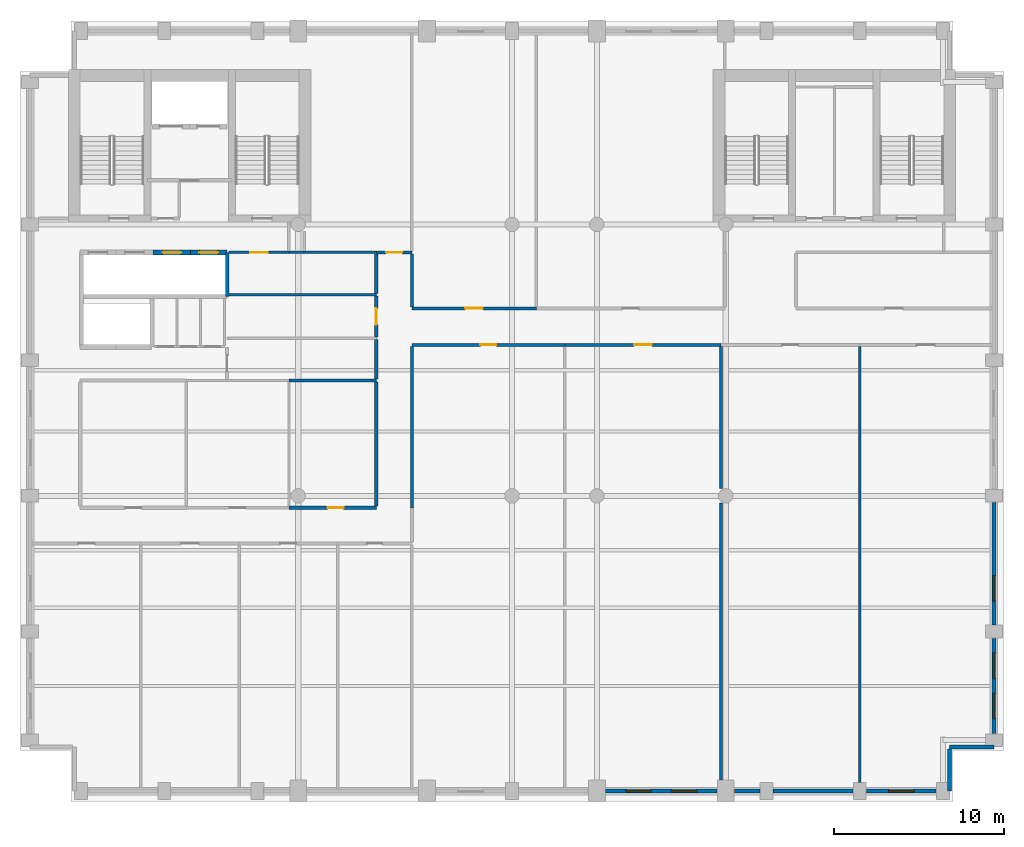
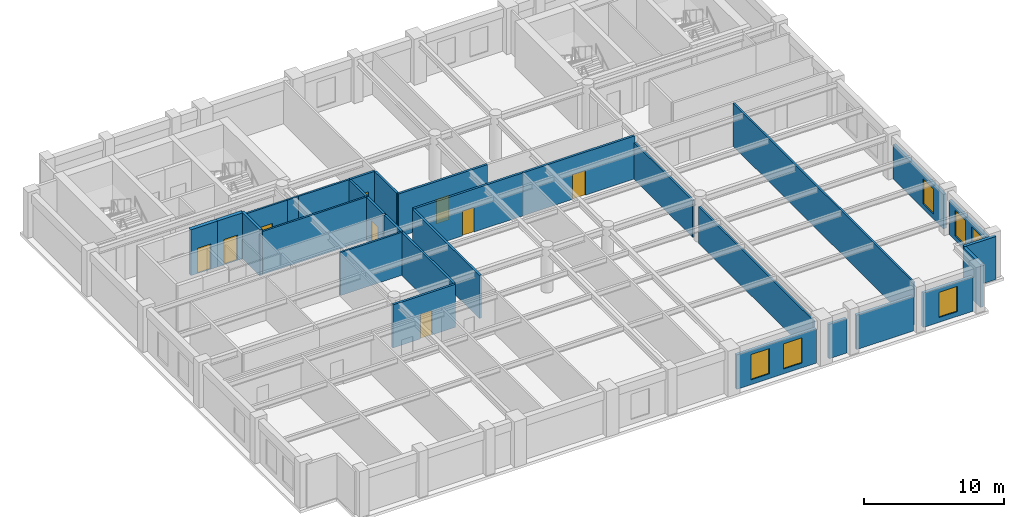
# One storey, part 4 of 8: 30 walls, 9 doors, 6 windows, 15 openings.
"""IFC4 building model written with IfcOpenShell, lengths in metres."""

from ifc_helpers import new_model, si_unit, direction, frame, frame_2d, origin, place, context, subcontext, project, spatial, rectangle, extrude, material, layer, layer_set, type_object, element, fill, save


model = new_model("IFC4")

# Units and contexts
model_context = context("Model", 3, precision=1e-05, world=origin(), true_north=direction((0.0, 1.0)))
body_context = subcontext(model_context, "Body", "Model", "MODEL_VIEW")
ifc_project = project(units=[si_unit("LENGTHUNIT", "METRE"), si_unit("AREAUNIT", "SQUARE_METRE"), si_unit("VOLUMEUNIT", "CUBIC_METRE"), si_unit("PLANEANGLEUNIT", "RADIAN"), si_unit("MASSUNIT", "GRAM", prefix="KILO")], contexts=[model_context])

# Site, building, storey
site_placement = place(None, origin())
site = spatial("IfcSite", under=ifc_project, at=site_placement, CompositionType="ELEMENT")
building_placement = place(site_placement, origin())
building = spatial("IfcBuilding", under=site, at=building_placement, Name="Sulina Concourse Tower", CompositionType="ELEMENT")
storey_placement = place(building_placement, frame((0.0, 0.0, 252.60009765625)))
storey = spatial("IfcBuildingStorey", under=building, at=storey_placement, Name="L61", CompositionType="ELEMENT", Elevation=252.60009765625)

# Wall
ifc_material_1 = material(Name="Concrete C50/60", Category="concrete")
ifc_layer_1 = layer(ifc_material_1, 0.219970703125)
ifc_layer_set_1 = layer_set([ifc_layer_1], Name="Concrete C50/60")
wall_type_1 = type_object("IfcWallType", Name="Core Lift Hoistway Divider Wall 220mm", PredefinedType="SOLIDWALL", material=ifc_layer_set_1)
wall_1_placement = place(storey_placement, frame((12.219970703125, 29.75, 0.0), z_axis=(0.0, 0.0, 1.0), x_axis=(0.0, 1.0, 0.0)))
element("IfcWall", 1, at=wall_1_placement, inside=storey, type_object=wall_type_1, Name="L61 shaft divider wall HW-LP3-E", PredefinedType="SOLIDWALL", context=body_context, shape_type="SweptSolid", body=[
    extrude(rectangle(XDim=2.60009765625, YDim=0.219970703125, at=frame_2d((1.300048828125, 0.0))), origin(), (0.0, 0.0, 1.0), 4.0),
])

# Wall, opening, door
ifc_material_2 = material(Name="Concrete C50/60", Category="concrete")
ifc_layer_2 = layer(ifc_material_2, 0.300048828125)
ifc_layer_set_2 = layer_set([ifc_layer_2], Name="Concrete C50/60")
wall_type_2 = type_object("IfcWallType", Name="Core Lift Hoistway Wall 300mm", PredefinedType="SOLIDWALL", material=ifc_layer_set_2)
wall_2_placement = place(storey_placement, frame((7.85009765625, 32.35009765625, 0.0), z_axis=(0.0, 0.0, 1.0), x_axis=(1.0, 0.0, 0.0)))
wall_2 = element("IfcWall", 2, at=wall_2_placement, inside=storey, type_object=wall_type_2, Name="L61 hoistway enclosure wall LP-11", PredefinedType="SOLIDWALL", context=body_context, shape_type="SweptSolid", body=[
    extrude(rectangle(XDim=2.199951171875, YDim=0.300048828125, at=frame_2d((1.10009765625, 0.0))), origin(), (0.0, 0.0, 1.0), 4.0),
])
opening_1_placement = place(wall_2_placement, frame((0.550048828125, 0.0, 0.0)))
opening_1 = element("IfcOpeningElement", 3, at=opening_1_placement, cuts=wall_2, Name="Opening LD-01", PredefinedType="OPENING", context=body_context, shape_type="SweptSolid", body=[
    extrude(rectangle(XDim=1.10009765625, YDim=2.199951171875, at=frame_2d((0.550048828125, 1.10009765625))), frame((0.0, 0.159912109375, 0.0), z_axis=(0.0, -1.0, 0.0), x_axis=(1.0, 0.0, 0.0)), (0.0, 0.0, 1.0), 0.320068359375),
])
ifc_material_3 = material(Name="Stainless steel lift landing door", Category="steel")
ifc_layer_3 = layer(ifc_material_3, 0.050048828125)
ifc_layer_set_3 = layer_set([ifc_layer_3], Name="Stainless steel lift landing door")
door_type_1 = type_object("IfcDoorType", Name="Passenger Lift Sliding Landing Door 1100x2200", OperationType="SLIDING_TO_LEFT", PredefinedType="DOOR", material=ifc_layer_set_3)
door_1_placement = place(opening_1_placement, origin())
door_1 = element("IfcDoor", 4, at=door_1_placement, inside=storey, type_object=door_type_1, Name="L61 lift landing sliding door LP-11", OperationType="SLIDING_TO_LEFT", OverallHeight=2.199951171875, OverallWidth=1.10009765625, PredefinedType="DOOR", context=body_context, shape_type="SweptSolid", body=[
    extrude(rectangle(XDim=1.10009765625, YDim=2.199951171875, at=frame_2d((0.550048828125, 1.10009765625))), frame((0.0, 0.02490234375, 0.0), z_axis=(0.0, -1.0, 0.0), x_axis=(1.0, 0.0, 0.0)), (0.0, 0.0, 1.0), 0.050048828125),
])
fill(opening_1, door_1)

wall_3_placement = place(storey_placement, frame((10.050048828125, 32.35009765625, 0.0), z_axis=(0.0, 0.0, 1.0), x_axis=(1.0, 0.0, 0.0)))
wall_3 = element("IfcWall", 5, at=wall_3_placement, inside=storey, type_object=wall_type_2, Name="L61 hoistway enclosure wall LP-12", PredefinedType="SOLIDWALL", context=body_context, shape_type="SweptSolid", body=[
    extrude(rectangle(XDim=2.14990234375, YDim=0.300048828125, at=frame_2d((1.074951171875, 0.0))), origin(), (0.0, 0.0, 1.0), 4.0),
])
opening_2_placement = place(wall_3_placement, frame((0.52490234375, 0.0, 0.0)))
opening_2 = element("IfcOpeningElement", 6, at=opening_2_placement, cuts=wall_3, Name="Opening LD-01", PredefinedType="OPENING", context=body_context, shape_type="SweptSolid", body=[
    extrude(rectangle(XDim=1.10009765625, YDim=2.199951171875, at=frame_2d((0.550048828125, 1.10009765625))), frame((0.0, 0.159912109375, 0.0), z_axis=(0.0, -1.0, 0.0), x_axis=(1.0, 0.0, 0.0)), (0.0, 0.0, 1.0), 0.320068359375),
])
door_2_placement = place(opening_2_placement, origin())
door_2 = element("IfcDoor", 7, at=door_2_placement, inside=storey, type_object=door_type_1, Name="L61 lift landing sliding door LP-12", OperationType="SLIDING_TO_RIGHT", OverallHeight=2.199951171875, OverallWidth=1.10009765625, PredefinedType="DOOR", context=body_context, shape_type="SweptSolid", body=[
    extrude(rectangle(XDim=1.10009765625, YDim=2.199951171875, at=frame_2d((0.550048828125, 1.10009765625))), frame((0.0, 0.02490234375, 0.0), z_axis=(0.0, -1.0, 0.0), x_axis=(1.0, 0.0, 0.0)), (0.0, 0.0, 1.0), 0.050048828125),
])
fill(opening_2, door_2)

# Wall, openings, windows
ifc_material_4 = material(Name="Precast concrete C50/60", Category="concrete")
ifc_layer_4 = layer(ifc_material_4, 0.239990234375)
ifc_layer_set_4 = layer_set([ifc_layer_4], Name="Precast concrete C50/60")
wall_type_3 = type_object("IfcWallType", Name="Crown Precast Masonry-Frame Facade Wall 240mm", PredefinedType="SOLIDWALL", material=ifc_layer_set_4)
wall_4_placement = place(storey_placement, frame((41.080078125, 0.60009765625, 0.0), z_axis=(0.0, 0.0, 1.0), x_axis=(-1.0, 0.0, 0.0)))
wall_4 = element("IfcWall", 8, at=wall_4_placement, inside=storey, type_object=wall_type_3, Name="L61 exterior precast wall S7", PredefinedType="SOLIDWALL", context=body_context, shape_type="SweptSolid", body=[
    extrude(rectangle(XDim=6.56005859375, YDim=0.239990234375, at=frame_2d((3.280029296875, 0.0))), origin(), (0.0, 0.0, 1.0), 3.0),
])
opening_3_placement = place(wall_4_placement, frame((1.186767578125, 0.0, 0.419921875)))
opening_3 = element("IfcOpeningElement", 9, at=opening_3_placement, cuts=wall_4, Name="Opening WN-71", PredefinedType="OPENING", context=body_context, shape_type="SweptSolid", body=[
    extrude(rectangle(XDim=1.5, YDim=2.199951171875, at=frame_2d((0.75, 1.10009765625))), frame((0.0, 0.1298828125, 0.0), z_axis=(0.0, -1.0, 0.0), x_axis=(1.0, 0.0, 0.0)), (0.0, 0.0, 1.0), 0.260009765625),
])
opening_4_placement = place(wall_4_placement, frame((3.873291015625, 0.0, 0.419921875)))
opening_4 = element("IfcOpeningElement", 10, at=opening_4_placement, cuts=wall_4, Name="Opening WN-71", PredefinedType="OPENING", context=body_context, shape_type="SweptSolid", body=[
    extrude(rectangle(XDim=1.5, YDim=2.199951171875, at=frame_2d((0.75, 1.10009765625))), frame((0.0, 0.1298828125, 0.0), z_axis=(0.0, -1.0, 0.0), x_axis=(1.0, 0.0, 0.0)), (0.0, 0.0, 1.0), 0.260009765625),
])
ifc_material_5 = material(Name="Low-E solar double glazing in bronze aluminium", Category="aluminium")
window_type = type_object("IfcWindowType", Name="Punched Masonry-Frame Window 1500x2200", PartitioningType="SINGLE_PANEL", PredefinedType="WINDOW", material=ifc_material_5)
window_1_placement = place(opening_3_placement, origin())
window_1 = element("IfcWindow", 11, at=window_1_placement, inside=storey, type_object=window_type, Name="L61 punched window S7-1", OverallHeight=2.199951171875, OverallWidth=1.5, PartitioningType="SINGLE_PANEL", PredefinedType="WINDOW", context=body_context, shape_type="SweptSolid", body=[
    extrude(rectangle(XDim=1.5, YDim=2.199951171875, at=frame_2d((0.75, 1.10009765625))), frame((0.0, 0.030029296875, 0.0), z_axis=(0.0, -1.0, 0.0), x_axis=(1.0, 0.0, 0.0)), (0.0, 0.0, 1.0), 0.06005859375),
])
fill(opening_3, window_1)
window_2_placement = place(opening_4_placement, origin())
window_2 = element("IfcWindow", 12, at=window_2_placement, inside=storey, type_object=window_type, Name="L61 punched window S7-2", OverallHeight=2.199951171875, OverallWidth=1.5, PartitioningType="SINGLE_PANEL", PredefinedType="WINDOW", context=body_context, shape_type="SweptSolid", body=[
    extrude(rectangle(XDim=1.5, YDim=2.199951171875, at=frame_2d((0.75, 1.10009765625))), frame((0.0, 0.030029296875, 0.0), z_axis=(0.0, -1.0, 0.0), x_axis=(1.0, 0.0, 0.0)), (0.0, 0.0, 1.0), 0.06005859375),
])
fill(opening_4, window_2)

# Walls
wall_5_placement = place(storey_placement, frame((43.60498046875, 0.60009765625, 0.0), z_axis=(0.0, 0.0, 1.0), x_axis=(-1.0, 0.0, 0.0)))
element("IfcWall", 13, at=wall_5_placement, inside=storey, type_object=wall_type_3, Name="L61 exterior precast wall S8", PredefinedType="SOLIDWALL", context=body_context, shape_type="SweptSolid", body=[
    extrude(rectangle(XDim=1.48486328125, YDim=0.239990234375, at=frame_2d((0.742431640625, 0.0))), origin(), (0.0, 0.0, 1.0), 3.0),
])
wall_6_placement = place(storey_placement, frame((49.10498046875, 0.60009765625, 0.0), z_axis=(0.0, 0.0, 1.0), x_axis=(-1.0, 0.0, 0.0)))
element("IfcWall", 14, at=wall_6_placement, inside=storey, type_object=wall_type_3, Name="L61 exterior precast wall S9", PredefinedType="SOLIDWALL", context=body_context, shape_type="SweptSolid", body=[
    extrude(rectangle(XDim=4.7099609375, YDim=0.239990234375, at=frame_2d((2.35498046875, 0.0))), origin(), (0.0, 0.0, 1.0), 3.0),
])

# Wall, opening, window
wall_7_placement = place(storey_placement, frame((54.0048828125, 0.60009765625, 0.0), z_axis=(0.0, 0.0, 1.0), x_axis=(-1.0, 0.0, 0.0)))
wall_7 = element("IfcWall", 15, at=wall_7_placement, inside=storey, type_object=wall_type_3, Name="L61 exterior precast wall S10", PredefinedType="SOLIDWALL", context=body_context, shape_type="SweptSolid", body=[
    extrude(rectangle(XDim=4.10986328125, YDim=0.239990234375, at=frame_2d((2.054931640625, 0.0))), origin(), (0.0, 0.0, 1.0), 3.0),
])
opening_5_placement = place(wall_7_placement, frame((1.304931640625, 0.0, 0.419921875)))
opening_5 = element("IfcOpeningElement", 16, at=opening_5_placement, cuts=wall_7, Name="Opening WN-71", PredefinedType="OPENING", context=body_context, shape_type="SweptSolid", body=[
    extrude(rectangle(XDim=1.5, YDim=2.199951171875, at=frame_2d((0.75, 1.10009765625))), frame((0.0, 0.1298828125, 0.0), z_axis=(0.0, -1.0, 0.0), x_axis=(1.0, 0.0, 0.0)), (0.0, 0.0, 1.0), 0.260009765625),
])
window_3_placement = place(opening_5_placement, origin())
window_3 = element("IfcWindow", 17, at=window_3_placement, inside=storey, type_object=window_type, Name="L61 punched window S10-1", OverallHeight=2.199951171875, OverallWidth=1.5, PartitioningType="SINGLE_PANEL", PredefinedType="WINDOW", context=body_context, shape_type="SweptSolid", body=[
    extrude(rectangle(XDim=1.5, YDim=2.199951171875, at=frame_2d((0.75, 1.10009765625))), frame((0.0, 0.030029296875, 0.0), z_axis=(0.0, -1.0, 0.0), x_axis=(1.0, 0.0, 0.0)), (0.0, 0.0, 1.0), 0.06005859375),
])
fill(opening_5, window_3)

# Wall, openings, windows
wall_8_placement = place(storey_placement, frame((57.39990234375, 9.60498046875, 0.0), z_axis=(0.0, 0.0, 1.0), x_axis=(0.0, -1.0, 0.0)))
wall_8 = element("IfcWall", 18, at=wall_8_placement, inside=storey, type_object=wall_type_3, Name="L61 exterior precast wall E1", PredefinedType="SOLIDWALL", context=body_context, shape_type="SweptSolid", body=[
    extrude(rectangle(XDim=5.60986328125, YDim=0.239990234375, at=frame_2d((2.804931640625, 0.0))), origin(), (0.0, 0.0, 1.0), 3.0),
])
opening_6_placement = place(wall_8_placement, frame((0.8701171875, 0.0, 0.419921875)))
opening_6 = element("IfcOpeningElement", 19, at=opening_6_placement, cuts=wall_8, Name="Opening WN-71", PredefinedType="OPENING", context=body_context, shape_type="SweptSolid", body=[
    extrude(rectangle(XDim=1.5, YDim=2.199951171875, at=frame_2d((0.75, 1.10009765625))), frame((0.0, 0.1298828125, 0.0), z_axis=(0.0, -1.0, 0.0), x_axis=(1.0, 0.0, 0.0)), (0.0, 0.0, 1.0), 0.260009765625),
])
opening_7_placement = place(wall_8_placement, frame((3.239990234375, 0.0, 0.419921875)))
opening_7 = element("IfcOpeningElement", 20, at=opening_7_placement, cuts=wall_8, Name="Opening WN-71", PredefinedType="OPENING", context=body_context, shape_type="SweptSolid", body=[
    extrude(rectangle(XDim=1.5, YDim=2.199951171875, at=frame_2d((0.75, 1.10009765625))), frame((0.0, 0.1298828125, 0.0), z_axis=(0.0, -1.0, 0.0), x_axis=(1.0, 0.0, 0.0)), (0.0, 0.0, 1.0), 0.260009765625),
])
window_4_placement = place(opening_6_placement, origin())
window_4 = element("IfcWindow", 21, at=window_4_placement, inside=storey, type_object=window_type, Name="L61 punched window E1-1", OverallHeight=2.199951171875, OverallWidth=1.5, PartitioningType="SINGLE_PANEL", PredefinedType="WINDOW", context=body_context, shape_type="SweptSolid", body=[
    extrude(rectangle(XDim=1.5, YDim=2.199951171875, at=frame_2d((0.75, 1.10009765625))), frame((0.0, 0.030029296875, 0.0), z_axis=(0.0, -1.0, 0.0), x_axis=(1.0, 0.0, 0.0)), (0.0, 0.0, 1.0), 0.06005859375),
])
fill(opening_6, window_4)
window_5_placement = place(opening_7_placement, origin())
window_5 = element("IfcWindow", 22, at=window_5_placement, inside=storey, type_object=window_type, Name="L61 punched window E1-2", OverallHeight=2.199951171875, OverallWidth=1.5, PartitioningType="SINGLE_PANEL", PredefinedType="WINDOW", context=body_context, shape_type="SweptSolid", body=[
    extrude(rectangle(XDim=1.5, YDim=2.199951171875, at=frame_2d((0.75, 1.10009765625))), frame((0.0, 0.030029296875, 0.0), z_axis=(0.0, -1.0, 0.0), x_axis=(1.0, 0.0, 0.0)), (0.0, 0.0, 1.0), 0.06005859375),
])
fill(opening_7, window_5)

# Wall, opening, window
wall_9_placement = place(storey_placement, frame((57.39990234375, 17.60498046875, 0.0), z_axis=(0.0, 0.0, 1.0), x_axis=(0.0, -1.0, 0.0)))
wall_9 = element("IfcWall", 23, at=wall_9_placement, inside=storey, type_object=wall_type_3, Name="L61 exterior precast wall E2", PredefinedType="SOLIDWALL", context=body_context, shape_type="SweptSolid", body=[
    extrude(rectangle(XDim=7.2099609375, YDim=0.239990234375, at=frame_2d((3.60498046875, 0.0))), origin(), (0.0, 0.0, 1.0), 3.0),
])
opening_8_placement = place(wall_9_placement, frame((4.306640625, 0.0, 0.419921875)))
opening_8 = element("IfcOpeningElement", 24, at=opening_8_placement, cuts=wall_9, Name="Opening WN-71", PredefinedType="OPENING", context=body_context, shape_type="SweptSolid", body=[
    extrude(rectangle(XDim=1.5, YDim=2.199951171875, at=frame_2d((0.75, 1.10009765625))), frame((0.0, 0.1298828125, 0.0), z_axis=(0.0, -1.0, 0.0), x_axis=(1.0, 0.0, 0.0)), (0.0, 0.0, 1.0), 0.260009765625),
])
window_6_placement = place(opening_8_placement, origin())
window_6 = element("IfcWindow", 25, at=window_6_placement, inside=storey, type_object=window_type, Name="L61 punched window E2-1", OverallHeight=2.199951171875, OverallWidth=1.5, PartitioningType="SINGLE_PANEL", PredefinedType="WINDOW", context=body_context, shape_type="SweptSolid", body=[
    extrude(rectangle(XDim=1.5, YDim=2.199951171875, at=frame_2d((0.75, 1.10009765625))), frame((0.0, 0.030029296875, 0.0), z_axis=(0.0, -1.0, 0.0), x_axis=(1.0, 0.0, 0.0)), (0.0, 0.0, 1.0), 0.06005859375),
])
fill(opening_8, window_6)

# Walls
wall_10_placement = place(storey_placement, frame((57.39990234375, 3.205078125, 0.0), z_axis=(0.0, 0.0, 1.0), x_axis=(-1.0, 0.0, 0.0)))
element("IfcWall", 26, at=wall_10_placement, inside=storey, type_object=wall_type_3, Name="L61 exterior precast wall CSE1", PredefinedType="SOLIDWALL", context=body_context, shape_type="SweptSolid", body=[
    extrude(rectangle(XDim=2.60498046875, YDim=0.239990234375, at=frame_2d((1.302490234375, 0.0))), origin(), (0.0, 0.0, 1.0), 3.75),
])
wall_11_placement = place(storey_placement, frame((54.794921875, 3.080078125, 0.0), z_axis=(0.0, 0.0, 1.0), x_axis=(0.0, -1.0, 0.0)))
element("IfcWall", 27, at=wall_11_placement, inside=storey, type_object=wall_type_3, Name="L61 exterior precast wall CSE2", PredefinedType="SOLIDWALL", context=body_context, shape_type="SweptSolid", body=[
    extrude(rectangle(XDim=2.47998046875, YDim=0.239990234375, at=frame_2d((1.239990234375, 0.0))), origin(), (0.0, 0.0, 1.0), 3.75),
])
ifc_material_6 = material(Name="Gypsum board on steel stud", Category="steel")
ifc_layer_5 = layer(ifc_material_6, 0.14990234375)
ifc_layer_set_5 = layer_set([ifc_layer_5], Name="Gypsum board on steel stud")
wall_type_4 = type_object("IfcWallType", Name="Inter-Tenancy Acoustic Partition 150mm", PredefinedType="PARTITIONING", material=ifc_layer_set_5)
wall_12_placement = place(storey_placement, frame((15.85009765625, 24.800048828125, 0.0), z_axis=(0.0, 0.0, 1.0), x_axis=(1.0, 0.0, 0.0)))
element("IfcWall", 28, at=wall_12_placement, inside=storey, type_object=wall_type_4, Name="L61 interior partition 011", PredefinedType="PARTITIONING", context=body_context, shape_type="SweptSolid", body=[
    extrude(rectangle(XDim=5.14990234375, YDim=0.14990234375, at=frame_2d((2.574951171875, 0.0))), origin(), (0.0, 0.0, 1.0), 3.75),
])
wall_13_placement = place(storey_placement, frame((12.330078125, 29.85009765625, 0.0), z_axis=(0.0, 0.0, 1.0), x_axis=(1.0, 0.0, 0.0)))
element("IfcWall", 29, at=wall_13_placement, inside=storey, type_object=wall_type_4, Name="L61 interior partition 023", PredefinedType="PARTITIONING", context=body_context, shape_type="SweptSolid", body=[
    extrude(rectangle(XDim=8.669921875, YDim=0.14990234375, at=frame_2d((4.3349609375, 0.0))), origin(), (0.0, 0.0, 1.0), 3.75),
])

# Wall, opening, door
wall_14_placement = place(storey_placement, frame((12.330078125, 32.35009765625, 0.0), z_axis=(0.0, 0.0, 1.0), x_axis=(1.0, 0.0, 0.0)))
wall_14 = element("IfcWall", 30, at=wall_14_placement, inside=storey, type_object=wall_type_4, Name="L61 interior partition 024", PredefinedType="PARTITIONING", context=body_context, shape_type="SweptSolid", body=[
    extrude(rectangle(XDim=3.52001953125, YDim=0.14990234375, at=frame_2d((1.760009765625, 0.0))), origin(), (0.0, 0.0, 1.0), 3.75),
])
opening_9_placement = place(wall_14_placement, frame((1.235107421875, 0.0, 0.0)))
opening_9 = element("IfcOpeningElement", 31, at=opening_9_placement, cuts=wall_14, Name="Opening DR-37", PredefinedType="OPENING", context=body_context, shape_type="SweptSolid", body=[
    extrude(rectangle(XDim=1.050048828125, YDim=2.14990234375, at=frame_2d((0.52490234375, 1.074951171875))), frame((0.0, 0.0849609375, 0.0), z_axis=(0.0, -1.0, 0.0), x_axis=(1.0, 0.0, 0.0)), (0.0, 0.0, 1.0), 0.169921875),
])
ifc_material_7 = material(Name="Oak-veneered fire door leaf")
ifc_layer_6 = layer(ifc_material_7, 0.050048828125)
ifc_layer_set_6 = layer_set([ifc_layer_6], Name="Oak-veneered fire door leaf")
door_type_2 = type_object("IfcDoorType", Name="Tenant Suite Entrance Fire Door 1050x2150", OperationType="NOTDEFINED", PredefinedType="DOOR", material=ifc_layer_set_6)
door_3_placement = place(opening_9_placement, origin())
door_3 = element("IfcDoor", 32, at=door_3_placement, inside=storey, type_object=door_type_2, Name="L61 interior door L61-MR-MRG3", OperationType="SINGLE_SWING_RIGHT", OverallHeight=2.14990234375, OverallWidth=1.050048828125, PredefinedType="DOOR", context=body_context, shape_type="SweptSolid", body=[
    extrude(rectangle(XDim=1.050048828125, YDim=2.14990234375, at=frame_2d((0.52490234375, 1.074951171875))), frame((0.0, 0.02490234375, 0.0), z_axis=(0.0, -1.0, 0.0), x_axis=(1.0, 0.0, 0.0)), (0.0, 0.0, 1.0), 0.050048828125),
])
fill(opening_9, door_3)

# Walls
wall_15_placement = place(storey_placement, frame((15.85009765625, 32.35009765625, 0.0), z_axis=(0.0, 0.0, 1.0), x_axis=(1.0, 0.0, 0.0)))
element("IfcWall", 33, at=wall_15_placement, inside=storey, type_object=wall_type_4, Name="L61 interior partition 025", PredefinedType="PARTITIONING", context=body_context, shape_type="SweptSolid", body=[
    extrude(rectangle(XDim=0.89990234375, YDim=0.14990234375, at=frame_2d((0.449951171875, 0.0))), origin(), (0.0, 0.0, 1.0), 3.75),
])
wall_16_placement = place(storey_placement, frame((16.75, 32.35009765625, 0.0), z_axis=(0.0, 0.0, 1.0), x_axis=(1.0, 0.0, 0.0)))
element("IfcWall", 34, at=wall_16_placement, inside=storey, type_object=wall_type_4, Name="L61 interior partition 026", PredefinedType="PARTITIONING", context=body_context, shape_type="SweptSolid", body=[
    extrude(rectangle(XDim=4.25, YDim=0.14990234375, at=frame_2d((2.125, 0.0))), origin(), (0.0, 0.0, 1.0), 3.75),
])
wall_17_placement = place(storey_placement, frame((41.320068359375, 1.25, 0.0), z_axis=(0.0, 0.0, 1.0), x_axis=(0.0, 1.0, 0.0)))
element("IfcWall", 35, at=wall_17_placement, inside=storey, type_object=wall_type_4, Name="L61 interior partition 058", PredefinedType="PARTITIONING", context=body_context, shape_type="SweptSolid", body=[
    extrude(rectangle(XDim=16.324951171875, YDim=0.14990234375, at=frame_2d((8.16259765625, 0.0))), origin(), (0.0, 0.0, 1.0), 3.19482421875),
])
wall_18_placement = place(storey_placement, frame((41.320068359375, 18.425048828125, 0.0), z_axis=(0.0, 0.0, 1.0), x_axis=(0.0, 1.0, 0.0)))
element("IfcWall", 36, at=wall_18_placement, inside=storey, type_object=wall_type_4, Name="L61 interior partition 059", PredefinedType="PARTITIONING", context=body_context, shape_type="SweptSolid", body=[
    extrude(rectangle(XDim=8.385009765625, YDim=0.14990234375, at=frame_2d((4.1923828125, 0.0))), origin(), (0.0, 0.0, 1.0), 3.19482421875),
])
wall_19_placement = place(storey_placement, frame((49.5, 1.10009765625, 0.0), z_axis=(0.0, 0.0, 1.0), x_axis=(0.0, 1.0, 0.0)))
element("IfcWall", 37, at=wall_19_placement, inside=storey, type_object=wall_type_4, Name="L61 interior partition 065", PredefinedType="PARTITIONING", context=body_context, shape_type="SweptSolid", body=[
    extrude(rectangle(XDim=25.7099609375, YDim=0.14990234375, at=frame_2d((12.85498046875, 0.0))), origin(), (0.0, 0.0, 1.0), 3.75),
])

# Wall, opening, door
ifc_material_8 = material(Name="Gypsum board on steel stud", Category="steel")
ifc_layer_7 = layer(ifc_material_8, 0.179931640625)
ifc_layer_set_7 = layer_set([ifc_layer_7], Name="Gypsum board on steel stud")
wall_type_5 = type_object("IfcWallType", Name="Protected Corridor & Riser Partition 180mm", PredefinedType="PARTITIONING", material=ifc_layer_set_7)
wall_20_placement = place(storey_placement, frame((15.85009765625, 17.300048828125, 0.0), z_axis=(0.0, 0.0, 1.0), x_axis=(1.0, 0.0, 0.0)))
wall_20 = element("IfcWall", 38, at=wall_20_placement, inside=storey, type_object=wall_type_5, Name="L61 interior partition 007", PredefinedType="PARTITIONING", context=body_context, shape_type="SweptSolid", body=[
    extrude(rectangle(XDim=5.14990234375, YDim=0.179931640625, at=frame_2d((2.574951171875, 0.0))), origin(), (0.0, 0.0, 1.0), 3.75),
])
opening_10_placement = place(wall_20_placement, frame((2.280029296875, 0.0, 0.0)))
opening_10 = element("IfcOpeningElement", 39, at=opening_10_placement, cuts=wall_20, Name="Opening DR-19", PredefinedType="OPENING", context=body_context, shape_type="SweptSolid", body=[
    extrude(rectangle(XDim=0.949951171875, YDim=2.14990234375, at=frame_2d((0.47509765625, 1.074951171875))), frame((0.0, 0.099853515625, 0.0), z_axis=(0.0, -1.0, 0.0), x_axis=(1.0, 0.0, 0.0)), (0.0, 0.0, 1.0), 0.199951171875),
])
ifc_material_9 = material(Name="Oak-veneered acoustic timber leaf", Category="wood")
ifc_layer_8 = layer(ifc_material_9, 0.050048828125)
ifc_layer_set_8 = layer_set([ifc_layer_8], Name="Oak-veneered acoustic timber leaf")
door_type_3 = type_object("IfcDoorType", Name="Cellular Office & Meeting Door 950x2150", OperationType="NOTDEFINED", PredefinedType="DOOR", material=ifc_layer_set_8)
door_4_placement = place(opening_10_placement, origin())
door_4 = element("IfcDoor", 40, at=door_4_placement, inside=storey, type_object=door_type_3, Name="L61 interior door L61-NZ-PKW", OperationType="SINGLE_SWING_LEFT", OverallHeight=2.14990234375, OverallWidth=0.949951171875, PredefinedType="DOOR", context=body_context, shape_type="SweptSolid", body=[
    extrude(rectangle(XDim=0.949951171875, YDim=2.14990234375, at=frame_2d((0.47509765625, 1.074951171875))), frame((0.0, 0.02490234375, 0.0), z_axis=(0.0, -1.0, 0.0), x_axis=(1.0, 0.0, 0.0)), (0.0, 0.0, 1.0), 0.050048828125),
])
fill(opening_10, door_4)

wall_21_placement = place(storey_placement, frame((23.10009765625, 26.89990234375, 0.0), z_axis=(0.0, 0.0, 1.0), x_axis=(1.0, 0.0, 0.0)))
wall_21 = element("IfcWall", 41, at=wall_21_placement, inside=storey, type_object=wall_type_5, Name="L61 interior partition 015", PredefinedType="PARTITIONING", context=body_context, shape_type="SweptSolid", body=[
    extrude(rectangle(XDim=9.02001953125, YDim=0.179931640625, at=frame_2d((4.510009765625, 0.0))), origin(), (0.0, 0.0, 1.0), 3.75),
])
opening_11_placement = place(wall_21_placement, frame((4.034912109375, 0.0, 0.0)))
opening_11 = element("IfcOpeningElement", 42, at=opening_11_placement, cuts=wall_21, Name="Opening DR-19", PredefinedType="OPENING", context=body_context, shape_type="SweptSolid", body=[
    extrude(rectangle(XDim=0.949951171875, YDim=2.14990234375, at=frame_2d((0.47509765625, 1.074951171875))), frame((0.0, 0.099853515625, 0.0), z_axis=(0.0, -1.0, 0.0), x_axis=(1.0, 0.0, 0.0)), (0.0, 0.0, 1.0), 0.199951171875),
])
door_5_placement = place(opening_11_placement, origin())
door_5 = element("IfcDoor", 43, at=door_5_placement, inside=storey, type_object=door_type_3, Name="L61 interior door L61-S05", OperationType="SINGLE_SWING_LEFT", OverallHeight=2.14990234375, OverallWidth=0.949951171875, PredefinedType="DOOR", context=body_context, shape_type="SweptSolid", body=[
    extrude(rectangle(XDim=0.949951171875, YDim=2.14990234375, at=frame_2d((0.47509765625, 1.074951171875))), frame((0.0, 0.02490234375, 0.0), z_axis=(0.0, -1.0, 0.0), x_axis=(1.0, 0.0, 0.0)), (0.0, 0.0, 1.0), 0.050048828125),
])
fill(opening_11, door_5)

wall_22_placement = place(storey_placement, frame((32.1201171875, 26.89990234375, 0.0), z_axis=(0.0, 0.0, 1.0), x_axis=(1.0, 0.0, 0.0)))
wall_22 = element("IfcWall", 44, at=wall_22_placement, inside=storey, type_object=wall_type_5, Name="L61 interior partition 016", PredefinedType="PARTITIONING", context=body_context, shape_type="SweptSolid", body=[
    extrude(rectangle(XDim=9.199951171875, YDim=0.179931640625, at=frame_2d((4.60009765625, 0.0))), origin(), (0.0, 0.0, 1.0), 3.75),
])
opening_12_placement = place(wall_22_placement, frame((4.074951171875, 0.0, 0.0)))
opening_12 = element("IfcOpeningElement", 45, at=opening_12_placement, cuts=wall_22, Name="Opening DR-37", PredefinedType="OPENING", context=body_context, shape_type="SweptSolid", body=[
    extrude(rectangle(XDim=1.050048828125, YDim=2.14990234375, at=frame_2d((0.52490234375, 1.074951171875))), frame((0.0, 0.099853515625, 0.0), z_axis=(0.0, -1.0, 0.0), x_axis=(1.0, 0.0, 0.0)), (0.0, 0.0, 1.0), 0.199951171875),
])
door_6_placement = place(opening_12_placement, origin())
door_6 = element("IfcDoor", 46, at=door_6_placement, inside=storey, type_object=door_type_2, Name="L61 interior door L61-S06", OperationType="SINGLE_SWING_RIGHT", OverallHeight=2.14990234375, OverallWidth=1.050048828125, PredefinedType="DOOR", context=body_context, shape_type="SweptSolid", body=[
    extrude(rectangle(XDim=1.050048828125, YDim=2.14990234375, at=frame_2d((0.52490234375, 1.074951171875))), frame((0.0, 0.02490234375, 0.0), z_axis=(0.0, -1.0, 0.0), x_axis=(1.0, 0.0, 0.0)), (0.0, 0.0, 1.0), 0.050048828125),
])
fill(opening_12, door_6)

wall_23_placement = place(storey_placement, frame((23.10009765625, 29.050048828125, 0.0), z_axis=(0.0, 0.0, 1.0), x_axis=(1.0, 0.0, 0.0)))
wall_23 = element("IfcWall", 47, at=wall_23_placement, inside=storey, type_object=wall_type_5, Name="L61 interior partition 020", PredefinedType="PARTITIONING", context=body_context, shape_type="SweptSolid", body=[
    extrude(rectangle(XDim=7.329833984375, YDim=0.179931640625, at=frame_2d((3.6650390625, 0.0))), origin(), (0.0, 0.0, 1.0), 3.75),
])
opening_13_placement = place(wall_23_placement, frame((3.139892578125, 0.0, 0.0)))
opening_13 = element("IfcOpeningElement", 48, at=opening_13_placement, cuts=wall_23, Name="Opening DR-37", PredefinedType="OPENING", context=body_context, shape_type="SweptSolid", body=[
    extrude(rectangle(XDim=1.050048828125, YDim=2.14990234375, at=frame_2d((0.52490234375, 1.074951171875))), frame((0.0, 0.099853515625, 0.0), z_axis=(0.0, -1.0, 0.0), x_axis=(1.0, 0.0, 0.0)), (0.0, 0.0, 1.0), 0.199951171875),
])
door_7_placement = place(opening_13_placement, origin())
door_7 = element("IfcDoor", 49, at=door_7_placement, inside=storey, type_object=door_type_2, Name="L61 interior door L61-NC1", OperationType="SINGLE_SWING_LEFT", OverallHeight=2.14990234375, OverallWidth=1.050048828125, PredefinedType="DOOR", context=body_context, shape_type="SweptSolid", body=[
    extrude(rectangle(XDim=1.050048828125, YDim=2.14990234375, at=frame_2d((0.52490234375, 1.074951171875))), frame((0.0, 0.02490234375, 0.0), z_axis=(0.0, -1.0, 0.0), x_axis=(1.0, 0.0, 0.0)), (0.0, 0.0, 1.0), 0.050048828125),
])
fill(opening_13, door_7)

wall_24_placement = place(storey_placement, frame((21.0, 32.35009765625, 0.0), z_axis=(0.0, 0.0, 1.0), x_axis=(1.0, 0.0, 0.0)))
wall_24 = element("IfcWall", 50, at=wall_24_placement, inside=storey, type_object=wall_type_5, Name="L61 interior partition 027", PredefinedType="PARTITIONING", context=body_context, shape_type="SweptSolid", body=[
    extrude(rectangle(XDim=2.10009765625, YDim=0.179931640625, at=frame_2d((1.050048828125, 0.0))), origin(), (0.0, 0.0, 1.0), 3.75),
])
opening_14_placement = place(wall_24_placement, frame((0.574951171875, 0.0, 0.0)))
opening_14 = element("IfcOpeningElement", 51, at=opening_14_placement, cuts=wall_24, Name="Opening DR-19", PredefinedType="OPENING", context=body_context, shape_type="SweptSolid", body=[
    extrude(rectangle(XDim=0.949951171875, YDim=2.14990234375, at=frame_2d((0.47509765625, 1.074951171875))), frame((0.0, 0.099853515625, 0.0), z_axis=(0.0, -1.0, 0.0), x_axis=(1.0, 0.0, 0.0)), (0.0, 0.0, 1.0), 0.199951171875),
])
door_8_placement = place(opening_14_placement, origin())
door_8 = element("IfcDoor", 52, at=door_8_placement, inside=storey, type_object=door_type_3, Name="L61 interior door L61-NC-NW", OperationType="SINGLE_SWING_LEFT", OverallHeight=2.14990234375, OverallWidth=0.949951171875, PredefinedType="DOOR", context=body_context, shape_type="SweptSolid", body=[
    extrude(rectangle(XDim=0.949951171875, YDim=2.14990234375, at=frame_2d((0.47509765625, 1.074951171875))), frame((0.0, 0.02490234375, 0.0), z_axis=(0.0, -1.0, 0.0), x_axis=(1.0, 0.0, 0.0)), (0.0, 0.0, 1.0), 0.050048828125),
])
fill(opening_14, door_8)

# Walls
wall_25_placement = place(storey_placement, frame((21.0, 17.389892578125, 0.0), z_axis=(0.0, 0.0, 1.0), x_axis=(0.0, 1.0, 0.0)))
element("IfcWall", 53, at=wall_25_placement, inside=storey, type_object=wall_type_5, Name="L61 interior partition 047", PredefinedType="PARTITIONING", context=body_context, shape_type="SweptSolid", body=[
    extrude(rectangle(XDim=7.335205078125, YDim=0.179931640625, at=frame_2d((3.66748046875, 0.0))), origin(), (0.0, 0.0, 1.0), 3.75),
])
wall_26_placement = place(storey_placement, frame((21.0, 24.875, 0.0), z_axis=(0.0, 0.0, 1.0), x_axis=(0.0, 1.0, 0.0)))
element("IfcWall", 54, at=wall_26_placement, inside=storey, type_object=wall_type_5, Name="L61 interior partition 048", PredefinedType="PARTITIONING", context=body_context, shape_type="SweptSolid", body=[
    extrude(rectangle(XDim=2.35009765625, YDim=0.179931640625, at=frame_2d((1.175048828125, 0.0))), origin(), (0.0, 0.0, 1.0), 3.75),
])

# Wall, opening, door
wall_27_placement = place(storey_placement, frame((21.0, 27.375, 0.0), z_axis=(0.0, 0.0, 1.0), x_axis=(0.0, 1.0, 0.0)))
wall_27 = element("IfcWall", 55, at=wall_27_placement, inside=storey, type_object=wall_type_5, Name="L61 interior partition 049", PredefinedType="PARTITIONING", context=body_context, shape_type="SweptSolid", body=[
    extrude(rectangle(XDim=2.39990234375, YDim=0.179931640625, at=frame_2d((1.199951171875, 0.0))), origin(), (0.0, 0.0, 1.0), 3.75),
])
opening_15_placement = place(wall_27_placement, frame((0.72509765625, 0.0, 0.0)))
opening_15 = element("IfcOpeningElement", 56, at=opening_15_placement, cuts=wall_27, Name="Opening DR-19", PredefinedType="OPENING", context=body_context, shape_type="SweptSolid", body=[
    extrude(rectangle(XDim=0.949951171875, YDim=2.14990234375, at=frame_2d((0.47509765625, 1.074951171875))), frame((0.0, 0.099853515625, 0.0), z_axis=(0.0, -1.0, 0.0), x_axis=(1.0, 0.0, 0.0)), (0.0, 0.0, 1.0), 0.199951171875),
])
door_9_placement = place(opening_15_placement, origin())
door_9 = element("IfcDoor", 57, at=door_9_placement, inside=storey, type_object=door_type_3, Name="L61 interior door L61-MR-MRG2", OperationType="SINGLE_SWING_RIGHT", OverallHeight=2.14990234375, OverallWidth=0.949951171875, PredefinedType="DOOR", context=body_context, shape_type="SweptSolid", body=[
    extrude(rectangle(XDim=0.949951171875, YDim=2.14990234375, at=frame_2d((0.47509765625, 1.074951171875))), frame((0.0, 0.02490234375, 0.0), z_axis=(0.0, -1.0, 0.0), x_axis=(1.0, 0.0, 0.0)), (0.0, 0.0, 1.0), 0.050048828125),
])
fill(opening_15, door_9)

# Walls
wall_28_placement = place(storey_placement, frame((21.0, 29.925048828125, 0.0), z_axis=(0.0, 0.0, 1.0), x_axis=(0.0, 1.0, 0.0)))
element("IfcWall", 58, at=wall_28_placement, inside=storey, type_object=wall_type_5, Name="L61 interior partition 050", PredefinedType="PARTITIONING", context=body_context, shape_type="SweptSolid", body=[
    extrude(rectangle(XDim=2.3349609375, YDim=0.179931640625, at=frame_2d((1.16748046875, 0.0))), origin(), (0.0, 0.0, 1.0), 3.75),
])
wall_29_placement = place(storey_placement, frame((23.10009765625, 17.300048828125, 0.0), z_axis=(0.0, 0.0, 1.0), x_axis=(0.0, 1.0, 0.0)))
element("IfcWall", 59, at=wall_29_placement, inside=storey, type_object=wall_type_5, Name="L61 interior partition 053", PredefinedType="PARTITIONING", context=body_context, shape_type="SweptSolid", body=[
    extrude(rectangle(XDim=9.510009765625, YDim=0.179931640625, at=frame_2d((4.7548828125, 0.0))), origin(), (0.0, 0.0, 1.0), 3.75),
])
wall_30_placement = place(storey_placement, frame((23.10009765625, 29.139892578125, 0.0), z_axis=(0.0, 0.0, 1.0), x_axis=(0.0, 1.0, 0.0)))
element("IfcWall", 60, at=wall_30_placement, inside=storey, type_object=wall_type_5, Name="L61 interior partition 054", PredefinedType="PARTITIONING", context=body_context, shape_type="SweptSolid", body=[
    extrude(rectangle(XDim=3.1201171875, YDim=0.179931640625, at=frame_2d((1.56005859375, 0.0))), origin(), (0.0, 0.0, 1.0), 3.75),
])

save(model, "model.ifc")
